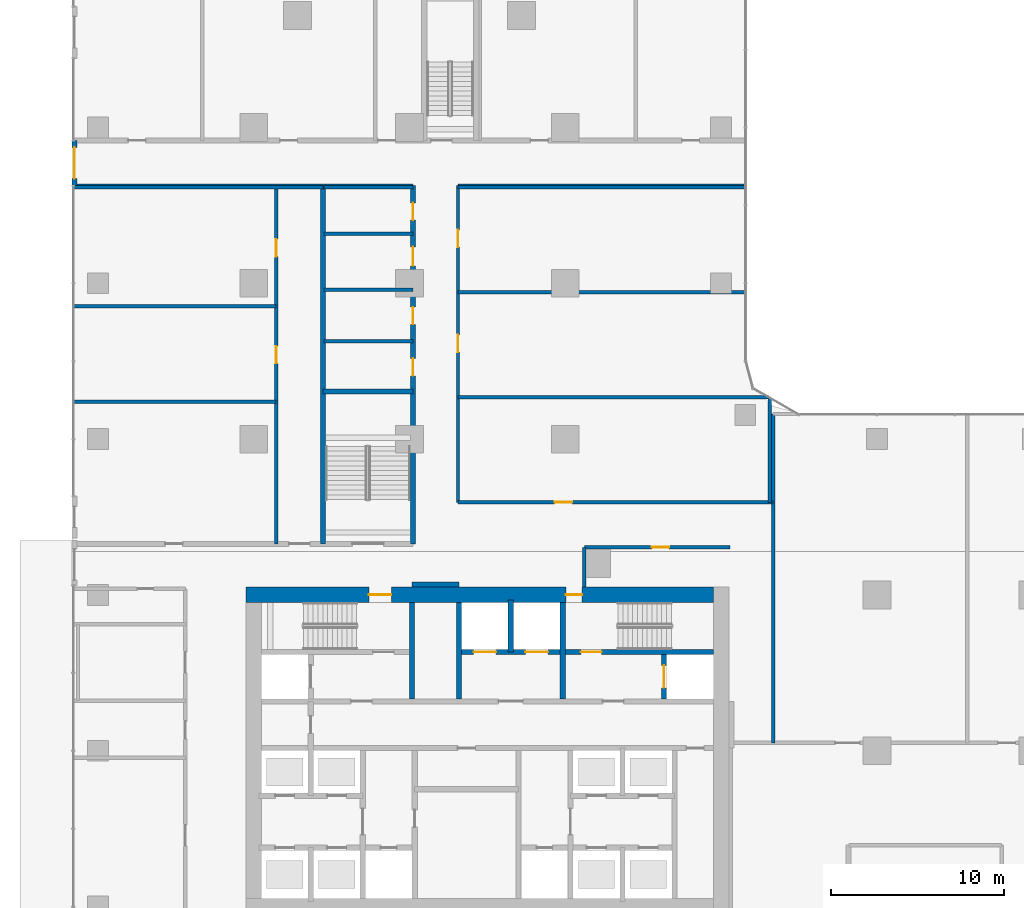
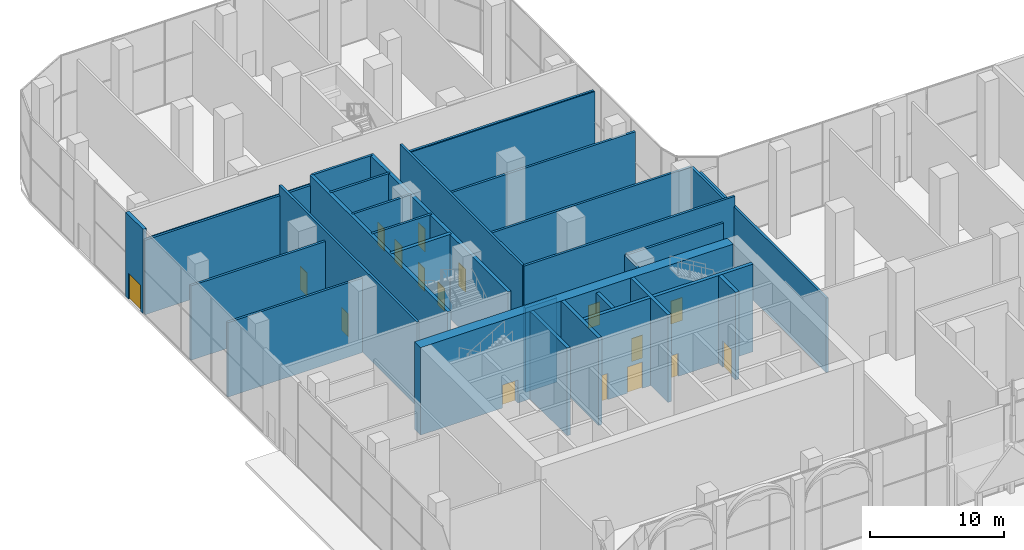
# One storey, part 31 of 54: 31 walls, 17 doors, 17 openings.
"""IFC4 building model written with IfcOpenShell, lengths in metres."""

from ifc_helpers import new_model, si_unit, direction, frame, frame_2d, origin, place, context, subcontext, project, spatial, rectangle, extrude, material, layer, layer_set, type_object, element, fill, save


model = new_model("IFC4")

# Units and contexts
model_context = context("Model", 3, precision=1e-05, world=origin(), true_north=direction((0.0, 1.0)))
body_context = subcontext(model_context, "Body", "Model", "MODEL_VIEW")
ifc_project = project(units=[si_unit("LENGTHUNIT", "METRE"), si_unit("AREAUNIT", "SQUARE_METRE"), si_unit("VOLUMEUNIT", "CUBIC_METRE"), si_unit("PLANEANGLEUNIT", "RADIAN"), si_unit("MASSUNIT", "GRAM", prefix="KILO")], contexts=[model_context])

# Site, building, storey
site_placement = place(None, origin())
site = spatial("IfcSite", under=ifc_project, at=site_placement, CompositionType="ELEMENT")
building_placement = place(site_placement, origin())
building = spatial("IfcBuilding", under=site, at=building_placement, Name="Ogive Portal Towers", CompositionType="ELEMENT")
storey_placement = place(building_placement, origin())
storey = spatial("IfcBuildingStorey", under=building, at=storey_placement, Name="L00", CompositionType="ELEMENT", Elevation=0.0)

# Wall, openings, doors
ifc_material_1 = material(Name="Concrete C60/75", Category="concrete")
ifc_layer_1 = layer(ifc_material_1, 0.300048828125)
ifc_layer_set_1 = layer_set([ifc_layer_1], Name="CORE WALL 300 C60")
wall_type_1 = type_object("IfcWallType", Name="CORE WALL 300 C60", PredefinedType="SHEAR", material=ifc_layer_set_1)
wall_1_placement = place(storey_placement, frame((43.5, 36.199951171875, 0.0), z_axis=(0.0, 0.0, 1.0), x_axis=(1.0, 0.0, 0.0)))
wall_1 = element("IfcWall", 1, at=wall_1_placement, inside=storey, type_object=wall_type_1, Name="Core wall Y3b L00", PredefinedType="SHEAR", context=body_context, shape_type="SweptSolid", body=[
    extrude(rectangle(XDim=14.550048828125, YDim=0.300048828125, at=frame_2d((7.27490234375, 0.0))), origin(), (0.0, 0.0, 1.0), 8.0),
])
opening_1_placement = place(wall_1_placement, frame((6.89990234375, 0.0, 0.0)))
opening_1 = element("IfcOpeningElement", 2, at=opening_1_placement, cuts=wall_1, Name="Opening D102-007", PredefinedType="OPENING", context=body_context, shape_type="SweptSolid", body=[
    extrude(rectangle(XDim=1.199951171875, YDim=2.10009765625, at=frame_2d((0.60009765625, 1.050048828125))), frame((0.0, 0.16015625, 0.0), z_axis=(0.0, -1.0, 0.0), x_axis=(1.0, 0.0, 0.0)), (0.0, 0.0, 1.0), 0.320068359375),
])
opening_2_placement = place(wall_1_placement, frame((0.699951171875, 0.0, 0.0)))
opening_2 = element("IfcOpeningElement", 3, at=opening_2_placement, cuts=wall_1, Name="Opening D102-021", PredefinedType="OPENING", context=body_context, shape_type="SweptSolid", body=[
    extrude(rectangle(XDim=1.300048828125, YDim=2.39990234375, at=frame_2d((0.64990234375, 1.199951171875))), frame((0.0, 0.16015625, 0.0), z_axis=(0.0, -1.0, 0.0), x_axis=(1.0, 0.0, 0.0)), (0.0, 0.0, 1.0), 0.320068359375),
])
opening_3_placement = place(wall_1_placement, frame((3.699951171875, 0.0, 0.0)))
opening_3 = element("IfcOpeningElement", 4, at=opening_3_placement, cuts=wall_1, Name="Opening D102-022", PredefinedType="OPENING", context=body_context, shape_type="SweptSolid", body=[
    extrude(rectangle(XDim=1.300048828125, YDim=2.39990234375, at=frame_2d((0.64990234375, 1.199951171875))), frame((0.0, 0.16015625, 0.0), z_axis=(0.0, -1.0, 0.0), x_axis=(1.0, 0.0, 0.0)), (0.0, 0.0, 1.0), 0.320068359375),
])
ifc_material_2 = material(Name="Stainless steel", Category="steel")
door_type_1 = type_object("IfcDoorType", Name="DT-LD-1300x2400", OperationType="SLIDING_TO_LEFT", PredefinedType="DOOR", material=ifc_material_2)
door_1_placement = place(opening_2_placement, origin())
door_1 = element("IfcDoor", 5, at=door_1_placement, inside=storey, type_object=door_type_1, Name="Door D102-021", OperationType="SLIDING_TO_LEFT", OverallHeight=2.39990234375, OverallWidth=1.300048828125, PredefinedType="DOOR", context=body_context, shape_type="SweptSolid", body=[
    extrude(rectangle(XDim=1.300048828125, YDim=2.39990234375, at=frame_2d((0.64990234375, 1.199951171875))), frame((0.0, 0.02490234375, 0.0), z_axis=(0.0, -1.0, 0.0), x_axis=(1.0, 0.0, 0.0)), (0.0, 0.0, 1.0), 0.050048828125),
])
fill(opening_2, door_1)
door_2_placement = place(opening_3_placement, origin())
door_2 = element("IfcDoor", 6, at=door_2_placement, inside=storey, type_object=door_type_1, Name="Door D102-022", OperationType="SLIDING_TO_LEFT", OverallHeight=2.39990234375, OverallWidth=1.300048828125, PredefinedType="DOOR", context=body_context, shape_type="SweptSolid", body=[
    extrude(rectangle(XDim=1.300048828125, YDim=2.39990234375, at=frame_2d((0.64990234375, 1.199951171875))), frame((0.0, 0.02490234375, 0.0), z_axis=(0.0, -1.0, 0.0), x_axis=(1.0, 0.0, 0.0)), (0.0, 0.0, 1.0), 0.050048828125),
])
fill(opening_3, door_2)
ifc_material_3 = material(Name="Steel fire door", Category="steel")
door_type_2 = type_object("IfcDoorType", Name="DT-SWING-1200x2100-FD90S", OperationType="SINGLE_SWING_LEFT", PredefinedType="DOOR", material=ifc_material_3)
door_3_placement = place(opening_1_placement, origin())
door_3 = element("IfcDoor", 7, at=door_3_placement, inside=storey, type_object=door_type_2, Name="Door D102-007", OperationType="SINGLE_SWING_LEFT", OverallHeight=2.10009765625, OverallWidth=1.199951171875, PredefinedType="DOOR", context=body_context, shape_type="SweptSolid", body=[
    extrude(rectangle(XDim=1.199951171875, YDim=2.10009765625, at=frame_2d((0.60009765625, 1.050048828125))), frame((0.0, 0.02490234375, 0.0), z_axis=(0.0, -1.0, 0.0), x_axis=(1.0, 0.0, 0.0)), (0.0, 0.0, 1.0), 0.050048828125),
])
fill(opening_1, door_3)

# Walls
for number, where, z_axis, x_axis, name in (
    (8, (40.64990234375, 33.5, 0.0), (0.0, 0.0, 1.0), (0.0, 1.0, 0.0), "Core wall X6 L00"),
    (9, (43.35009765625, 33.5, 0.0), (0.0, 0.0, 1.0), (0.0, 1.0, 0.0), "Core wall X7 L00"),
    (10, (49.35009765625, 33.5, 0.0), (0.0, 0.0, 1.0), (0.0, 1.0, 0.0), "Core wall X9 L00"),
):
    element("IfcWall", number, at=place(storey_placement, frame(where, z_axis=z_axis, x_axis=x_axis)), inside=storey, type_object=wall_type_1, Name=name, PredefinedType="SHEAR", context=body_context, shape_type="SweptSolid", body=[
        extrude(rectangle(XDim=5.550048828125, YDim=0.300048828125, at=frame_2d((2.77490234375, 0.0))), origin(), (0.0, 0.0, 1.0), 8.0),
    ])

# Wall, opening, door
wall_2_placement = place(storey_placement, frame((55.199951171875, 33.5, 0.0), z_axis=(0.0, 0.0, 1.0), x_axis=(0.0, 1.0, 0.0)))
wall_2 = element("IfcWall", 11, at=wall_2_placement, inside=storey, type_object=wall_type_1, Name="Core wall X10 L00", PredefinedType="SHEAR", context=body_context, shape_type="SweptSolid", body=[
    extrude(rectangle(XDim=2.550048828125, YDim=0.300048828125, at=frame_2d((1.27490234375, 0.0))), origin(), (0.0, 0.0, 1.0), 8.0),
])
opening_4_placement = place(wall_2_placement, frame((0.625, 0.0, 0.0)))
opening_4 = element("IfcOpeningElement", 12, at=opening_4_placement, cuts=wall_2, Name="Opening D102-024", PredefinedType="OPENING", context=body_context, shape_type="SweptSolid", body=[
    extrude(rectangle(XDim=1.300048828125, YDim=2.39990234375, at=frame_2d((0.64990234375, 1.199951171875))), frame((0.0, 0.16015625, 0.0), z_axis=(0.0, -1.0, 0.0), x_axis=(1.0, 0.0, 0.0)), (0.0, 0.0, 1.0), 0.320068359375),
])
door_4_placement = place(opening_4_placement, origin())
door_4 = element("IfcDoor", 13, at=door_4_placement, inside=storey, type_object=door_type_1, Name="Door D102-024", OperationType="SLIDING_TO_LEFT", OverallHeight=2.39990234375, OverallWidth=1.300048828125, PredefinedType="DOOR", context=body_context, shape_type="SweptSolid", body=[
    extrude(rectangle(XDim=1.300048828125, YDim=2.39990234375, at=frame_2d((0.64990234375, 1.199951171875))), frame((0.0, 0.02490234375, 0.0), z_axis=(0.0, -1.0, 0.0), x_axis=(1.0, 0.0, 0.0)), (0.0, 0.0, 1.0), 0.050048828125),
])
fill(opening_4, door_4)

# Wall, openings, doors
ifc_layer_2 = layer(ifc_material_1, 0.89990234375)
ifc_layer_set_2 = layer_set([ifc_layer_2], Name="CORE WALL 900 C60")
wall_type_2 = type_object("IfcWallType", Name="CORE WALL 900 C60", PredefinedType="SHEAR", material=ifc_layer_set_2)
wall_3_placement = place(storey_placement, frame((31.050048828125, 39.5, 0.0), z_axis=(0.0, 0.0, 1.0), x_axis=(1.0, 0.0, 0.0)))
wall_3 = element("IfcWall", 14, at=wall_3_placement, inside=storey, type_object=wall_type_2, Name="Core wall N L00", PredefinedType="SHEAR", context=body_context, shape_type="SweptSolid", body=[
    extrude(rectangle(XDim=27.0, YDim=0.89990234375, at=frame_2d((13.5, 0.0))), origin(), (0.0, 0.0, 1.0), 8.0),
])
opening_5_placement = place(wall_3_placement, frame((7.10009765625, 0.0, 0.0)))
opening_5 = element("IfcOpeningElement", 15, at=opening_5_placement, cuts=wall_3, Name="Opening D102-011", PredefinedType="OPENING", context=body_context, shape_type="SweptSolid", body=[
    extrude(rectangle(XDim=1.300048828125, YDim=2.10009765625, at=frame_2d((0.64990234375, 1.050048828125))), frame((0.0, 0.4599609375, 0.0), z_axis=(0.0, -1.0, 0.0), x_axis=(1.0, 0.0, 0.0)), (0.0, 0.0, 1.0), 0.919921875),
])
opening_6_placement = place(wall_3_placement, frame((18.47509765625, 0.0, 0.0)))
opening_6 = element("IfcOpeningElement", 16, at=opening_6_placement, cuts=wall_3, Name="Opening D102-012", PredefinedType="OPENING", context=body_context, shape_type="SweptSolid", body=[
    extrude(rectangle(XDim=0.949951171875, YDim=2.10009765625, at=frame_2d((0.47509765625, 1.050048828125))), frame((0.0, 0.4599609375, 0.0), z_axis=(0.0, -1.0, 0.0), x_axis=(1.0, 0.0, 0.0)), (0.0, 0.0, 1.0), 0.919921875),
])
door_type_3 = type_object("IfcDoorType", Name="DT-SWING-1300x2100-FD90S", OperationType="SINGLE_SWING_LEFT", PredefinedType="DOOR", material=ifc_material_3)
door_5_placement = place(opening_5_placement, origin())
door_5 = element("IfcDoor", 17, at=door_5_placement, inside=storey, type_object=door_type_3, Name="Door D102-011", OperationType="SINGLE_SWING_LEFT", OverallHeight=2.10009765625, OverallWidth=1.300048828125, PredefinedType="DOOR", context=body_context, shape_type="SweptSolid", body=[
    extrude(rectangle(XDim=1.300048828125, YDim=2.10009765625, at=frame_2d((0.64990234375, 1.050048828125))), frame((0.0, 0.02490234375, 0.0), z_axis=(0.0, -1.0, 0.0), x_axis=(1.0, 0.0, 0.0)), (0.0, 0.0, 1.0), 0.050048828125),
])
fill(opening_5, door_5)
door_type_4 = type_object("IfcDoorType", Name="DT-SWING-950x2100-FD90S", OperationType="SINGLE_SWING_LEFT", PredefinedType="DOOR", material=ifc_material_3)
door_6_placement = place(opening_6_placement, origin())
door_6 = element("IfcDoor", 18, at=door_6_placement, inside=storey, type_object=door_type_4, Name="Door D102-012", OperationType="SINGLE_SWING_LEFT", OverallHeight=2.10009765625, OverallWidth=0.949951171875, PredefinedType="DOOR", context=body_context, shape_type="SweptSolid", body=[
    extrude(rectangle(XDim=0.949951171875, YDim=2.10009765625, at=frame_2d((0.47509765625, 1.050048828125))), frame((0.0, 0.02490234375, 0.0), z_axis=(0.0, -1.0, 0.0), x_axis=(1.0, 0.0, 0.0)), (0.0, 0.0, 1.0), 0.050048828125),
])
fill(opening_6, door_6)

# Wall, opening, door
ifc_material_4 = material(Name="Limestone cladding on lightweight block wall", Category="masonry")
ifc_layer_3 = layer(ifc_material_4, 0.300048828125)
ifc_layer_set_3 = layer_set([ifc_layer_3], Name="EXTERNAL WALL 300 STONE")
wall_type_3 = type_object("IfcWallType", Name="EXTERNAL WALL 300 STONE", PredefinedType="SOLIDWALL", material=ifc_layer_set_3)
wall_4_placement = place(storey_placement, frame((21.14990234375, 63.14990234375, 0.0), z_axis=(0.0, 0.0, 1.0), x_axis=(0.0, 1.0, 0.0)))
wall_4 = element("IfcWall", 19, at=wall_4_placement, inside=storey, type_object=wall_type_3, Name="A:L00:f17:bay1", PredefinedType="SOLIDWALL", context=body_context, shape_type="SweptSolid", body=[
    extrude(rectangle(XDim=2.60009765625, YDim=0.300048828125, at=frame_2d((1.300048828125, 0.0))), origin(), (0.0, 0.0, 1.0), 7.699951171875),
])
opening_7_placement = place(wall_4_placement, frame((0.39990234375, 0.0, 0.0)))
opening_7 = element("IfcOpeningElement", 20, at=opening_7_placement, cuts=wall_4, Name="Opening DX014", PredefinedType="OPENING", context=body_context, shape_type="SweptSolid", body=[
    extrude(rectangle(XDim=1.800048828125, YDim=2.39990234375, at=frame_2d((0.89990234375, 1.199951171875))), frame((0.0, 0.16015625, 0.0), z_axis=(0.0, -1.0, 0.0), x_axis=(1.0, 0.0, 0.0)), (0.0, 0.0, 1.0), 0.320068359375),
])
ifc_material_5 = material(Name="Steel S355", Category="steel")
door_type_5 = type_object("IfcDoorType", Name="EXIT DOOR 1800x2400", OperationType="DOUBLE_DOOR_SINGLE_SWING", PredefinedType="DOOR", material=ifc_material_5)
door_7_placement = place(opening_7_placement, origin())
door_7 = element("IfcDoor", 21, at=door_7_placement, inside=storey, type_object=door_type_5, Name="A:L00:f17:bay1/o0", OperationType="SINGLE_SWING_LEFT", OverallHeight=2.39990234375, OverallWidth=1.800048828125, PredefinedType="DOOR", context=body_context, shape_type="SweptSolid", body=[
    extrude(rectangle(XDim=1.800048828125, YDim=2.39990234375, at=frame_2d((0.89990234375, 1.199951171875))), frame((0.0, 0.02490234375, 0.0), z_axis=(0.0, -1.0, 0.0), x_axis=(1.0, 0.0, 0.0)), (0.0, 0.0, 1.0), 0.050048828125),
])
fill(opening_7, door_7)

# Walls
ifc_material_6 = material(Name="Concrete C50/60", Category="concrete")
ifc_layer_4 = layer(ifc_material_6, 0.300048828125)
ifc_layer_set_4 = layer_set([ifc_layer_4], Name="STAIR WALL 300 C50")
wall_type_4 = type_object("IfcWallType", Name="STAIR WALL 300 C50", PredefinedType="SHEAR", material=ifc_layer_set_4)
wall_5_placement = place(storey_placement, frame((35.5, 51.25, 0.0), z_axis=(0.0, 0.0, 1.0), x_axis=(1.0, 0.0, 0.0)))
element("IfcWall", 22, at=wall_5_placement, inside=storey, type_object=wall_type_4, Name="Stair wall ST-P2 L00", PredefinedType="SHEAR", context=body_context, shape_type="SweptSolid", body=[
    extrude(rectangle(XDim=5.199951171875, YDim=0.300048828125, at=frame_2d((2.60009765625, 0.0))), origin(), (0.0, 0.0, 1.0), 7.699951171875),
])
wall_6_placement = place(storey_placement, frame((35.5, 42.449951171875, 0.0), z_axis=(0.0, 0.0, 1.0), x_axis=(0.0, 1.0, 0.0)))
element("IfcWall", 23, at=wall_6_placement, inside=storey, type_object=wall_type_4, Name="Stair wall ST-P2 L00", PredefinedType="SHEAR", context=body_context, shape_type="SweptSolid", body=[
    extrude(rectangle(XDim=20.60009765625, YDim=0.300048828125, at=frame_2d((10.300048828125, 0.0))), origin(), (0.0, 0.0, 1.0), 7.699951171875),
])

# Wall, openings, doors
wall_7_placement = place(storey_placement, frame((40.699951171875, 42.449951171875, 0.0), z_axis=(0.0, 0.0, 1.0), x_axis=(0.0, 1.0, 0.0)))
wall_7 = element("IfcWall", 24, at=wall_7_placement, inside=storey, type_object=wall_type_4, Name="Stair wall ST-P2 L00", PredefinedType="SHEAR", context=body_context, shape_type="SweptSolid", body=[
    extrude(rectangle(XDim=20.699951171875, YDim=0.300048828125, at=frame_2d((10.35009765625, 0.0))), origin(), (0.0, 0.0, 1.0), 7.699951171875),
])
opening_8_placement = place(wall_7_placement, frame((9.7099609375, 0.0, 0.0)))
opening_8 = element("IfcOpeningElement", 25, at=opening_8_placement, cuts=wall_7, Name="Opening P00-022", PredefinedType="OPENING", context=body_context, shape_type="SweptSolid", body=[
    extrude(rectangle(XDim=1.0, YDim=2.10009765625, at=frame_2d((0.5, 1.050048828125))), frame((0.0, 0.16015625, 0.0), z_axis=(0.0, -1.0, 0.0), x_axis=(1.0, 0.0, 0.0)), (0.0, 0.0, 1.0), 0.320068359375),
])
opening_9_placement = place(wall_7_placement, frame((12.673095703125, 0.0, 0.0)))
opening_9 = element("IfcOpeningElement", 26, at=opening_9_placement, cuts=wall_7, Name="Opening P00-023", PredefinedType="OPENING", context=body_context, shape_type="SweptSolid", body=[
    extrude(rectangle(XDim=1.0, YDim=2.10009765625, at=frame_2d((0.5, 1.050048828125))), frame((0.0, 0.16015625, 0.0), z_axis=(0.0, -1.0, 0.0), x_axis=(1.0, 0.0, 0.0)), (0.0, 0.0, 1.0), 0.320068359375),
])
opening_10_placement = place(wall_7_placement, frame((16.050048828125, 0.0, 0.0)))
opening_10 = element("IfcOpeningElement", 27, at=opening_10_placement, cuts=wall_7, Name="Opening P00-024", PredefinedType="OPENING", context=body_context, shape_type="SweptSolid", body=[
    extrude(rectangle(XDim=1.10009765625, YDim=2.10009765625, at=frame_2d((0.550048828125, 1.050048828125))), frame((0.0, 0.16015625, 0.0), z_axis=(0.0, -1.0, 0.0), x_axis=(1.0, 0.0, 0.0)), (0.0, 0.0, 1.0), 0.320068359375),
])
opening_11_placement = place(wall_7_placement, frame((18.694091796875, 0.0, 0.0)))
opening_11 = element("IfcOpeningElement", 28, at=opening_11_placement, cuts=wall_7, Name="Opening P00-025", PredefinedType="OPENING", context=body_context, shape_type="SweptSolid", body=[
    extrude(rectangle(XDim=1.0, YDim=2.10009765625, at=frame_2d((0.5, 1.050048828125))), frame((0.0, 0.16015625, 0.0), z_axis=(0.0, -1.0, 0.0), x_axis=(1.0, 0.0, 0.0)), (0.0, 0.0, 1.0), 0.320068359375),
])
door_type_6 = type_object("IfcDoorType", Name="DT-ACCESS-1100x2100-FD90S", OperationType="SINGLE_SWING_LEFT", PredefinedType="DOOR", material=ifc_material_3)
door_8_placement = place(opening_10_placement, origin())
door_8 = element("IfcDoor", 29, at=door_8_placement, inside=storey, type_object=door_type_6, Name="Door P00-024", OperationType="SINGLE_SWING_RIGHT", OverallHeight=2.10009765625, OverallWidth=1.10009765625, PredefinedType="DOOR", context=body_context, shape_type="SweptSolid", body=[
    extrude(rectangle(XDim=1.10009765625, YDim=2.10009765625, at=frame_2d((0.550048828125, 1.050048828125))), frame((0.0, 0.02490234375, 0.0), z_axis=(0.0, -1.0, 0.0), x_axis=(1.0, 0.0, 0.0)), (0.0, 0.0, 1.0), 0.050048828125),
])
fill(opening_10, door_8)
door_type_7 = type_object("IfcDoorType", Name="DT-SWING-1000x2100-FD90S", OperationType="SINGLE_SWING_LEFT", PredefinedType="DOOR", material=ifc_material_3)
door_9_placement = place(opening_8_placement, origin())
door_9 = element("IfcDoor", 30, at=door_9_placement, inside=storey, type_object=door_type_7, Name="Door P00-022", OperationType="SINGLE_SWING_RIGHT", OverallHeight=2.10009765625, OverallWidth=1.0, PredefinedType="DOOR", context=body_context, shape_type="SweptSolid", body=[
    extrude(rectangle(XDim=1.0, YDim=2.10009765625, at=frame_2d((0.5, 1.050048828125))), frame((0.0, 0.02490234375, 0.0), z_axis=(0.0, -1.0, 0.0), x_axis=(1.0, 0.0, 0.0)), (0.0, 0.0, 1.0), 0.050048828125),
])
fill(opening_8, door_9)
door_10_placement = place(opening_9_placement, origin())
door_10 = element("IfcDoor", 31, at=door_10_placement, inside=storey, type_object=door_type_7, Name="Door P00-023", OperationType="SINGLE_SWING_LEFT", OverallHeight=2.10009765625, OverallWidth=1.0, PredefinedType="DOOR", context=body_context, shape_type="SweptSolid", body=[
    extrude(rectangle(XDim=1.0, YDim=2.10009765625, at=frame_2d((0.5, 1.050048828125))), frame((0.0, 0.02490234375, 0.0), z_axis=(0.0, -1.0, 0.0), x_axis=(1.0, 0.0, 0.0)), (0.0, 0.0, 1.0), 0.050048828125),
])
fill(opening_9, door_10)
door_11_placement = place(opening_11_placement, origin())
door_11 = element("IfcDoor", 32, at=door_11_placement, inside=storey, type_object=door_type_7, Name="Door P00-025", OperationType="SINGLE_SWING_LEFT", OverallHeight=2.10009765625, OverallWidth=1.0, PredefinedType="DOOR", context=body_context, shape_type="SweptSolid", body=[
    extrude(rectangle(XDim=1.0, YDim=2.10009765625, at=frame_2d((0.5, 1.050048828125))), frame((0.0, 0.02490234375, 0.0), z_axis=(0.0, -1.0, 0.0), x_axis=(1.0, 0.0, 0.0)), (0.0, 0.0, 1.0), 0.050048828125),
])
fill(opening_11, door_11)

# Wall, opening, door
ifc_material_7 = material(Name="Gypsum board partition on steel studs", Category="steel")
ifc_layer_5 = layer(ifc_material_7, 0.199951171875)
ifc_layer_set_5 = layer_set([ifc_layer_5], Name="WT-PART-200-EI 60")
wall_type_5 = type_object("IfcWallType", Name="WT-PART-200-EI 60", PredefinedType="PARTITIONING", material=ifc_layer_set_5)
wall_8_placement = place(storey_placement, frame((50.60009765625, 42.25, 0.0), z_axis=(0.0, 0.0, 1.0), x_axis=(1.0, 0.0, 0.0)))
wall_8 = element("IfcWall", 33, at=wall_8_placement, inside=storey, type_object=wall_type_5, Name="Wall L00:w036", PredefinedType="PARTITIONING", context=body_context, shape_type="SweptSolid", body=[
    extrude(rectangle(XDim=8.419921875, YDim=0.199951171875, at=frame_2d((4.2099609375, 0.0))), origin(), (0.0, 0.0, 1.0), 7.699951171875),
])
opening_12_placement = place(wall_8_placement, frame((3.89990234375, 0.0, 0.0)))
opening_12 = element("IfcOpeningElement", 34, at=opening_12_placement, cuts=wall_8, Name="Opening P00-006", PredefinedType="OPENING", context=body_context, shape_type="SweptSolid", body=[
    extrude(rectangle(XDim=1.0, YDim=2.10009765625, at=frame_2d((0.5, 1.050048828125))), frame((0.0, 0.10986328125, 0.0), z_axis=(0.0, -1.0, 0.0), x_axis=(1.0, 0.0, 0.0)), (0.0, 0.0, 1.0), 0.219970703125),
])
door_type_8 = type_object("IfcDoorType", Name="DT-SWING-1000x2100-FD60S", OperationType="SINGLE_SWING_LEFT", PredefinedType="DOOR", material=ifc_material_3)
door_12_placement = place(opening_12_placement, origin())
door_12 = element("IfcDoor", 35, at=door_12_placement, inside=storey, type_object=door_type_8, Name="Door P00-006", OperationType="SINGLE_SWING_RIGHT", OverallHeight=2.10009765625, OverallWidth=1.0, PredefinedType="DOOR", context=body_context, shape_type="SweptSolid", body=[
    extrude(rectangle(XDim=1.0, YDim=2.10009765625, at=frame_2d((0.5, 1.050048828125))), frame((0.0, 0.02490234375, 0.0), z_axis=(0.0, -1.0, 0.0), x_axis=(1.0, 0.0, 0.0)), (0.0, 0.0, 1.0), 0.050048828125),
])
fill(opening_12, door_12)

wall_9_placement = place(storey_placement, frame((43.300048828125, 44.85009765625, 0.0), z_axis=(0.0, 0.0, 1.0), x_axis=(1.0, 0.0, 0.0)))
wall_9 = element("IfcWall", 36, at=wall_9_placement, inside=storey, type_object=wall_type_5, Name="Wall L00:w039", PredefinedType="PARTITIONING", context=body_context, shape_type="SweptSolid", body=[
    extrude(rectangle(XDim=18.199951171875, YDim=0.199951171875, at=frame_2d((9.10009765625, 0.0))), origin(), (0.0, 0.0, 1.0), 7.699951171875),
])
opening_13_placement = place(wall_9_placement, frame((5.589111328125, 0.0, 0.0)))
opening_13 = element("IfcOpeningElement", 37, at=opening_13_placement, cuts=wall_9, Name="Opening P00-026", PredefinedType="OPENING", context=body_context, shape_type="SweptSolid", body=[
    extrude(rectangle(XDim=1.0, YDim=2.10009765625, at=frame_2d((0.5, 1.050048828125))), frame((0.0, 0.10986328125, 0.0), z_axis=(0.0, -1.0, 0.0), x_axis=(1.0, 0.0, 0.0)), (0.0, 0.0, 1.0), 0.219970703125),
])
door_13_placement = place(opening_13_placement, origin())
door_13 = element("IfcDoor", 38, at=door_13_placement, inside=storey, type_object=door_type_8, Name="Door P00-026", OperationType="SINGLE_SWING_RIGHT", OverallHeight=2.10009765625, OverallWidth=1.0, PredefinedType="DOOR", context=body_context, shape_type="SweptSolid", body=[
    extrude(rectangle(XDim=1.0, YDim=2.10009765625, at=frame_2d((0.5, 1.050048828125))), frame((0.0, 0.02490234375, 0.0), z_axis=(0.0, -1.0, 0.0), x_axis=(1.0, 0.0, 0.0)), (0.0, 0.0, 1.0), 0.050048828125),
])
fill(opening_13, door_13)

# Walls
wall_10_placement = place(storey_placement, frame((21.070068359375, 50.64990234375, 0.0), z_axis=(0.0, 0.0, 1.0), x_axis=(1.0, 0.0, 0.0)))
element("IfcWall", 39, at=wall_10_placement, inside=storey, type_object=wall_type_5, Name="Wall L00:w041", PredefinedType="PARTITIONING", context=body_context, shape_type="SweptSolid", body=[
    extrude(rectangle(XDim=11.72998046875, YDim=0.199951171875, at=frame_2d((5.864990234375, 0.0))), origin(), (0.0, 0.0, 1.0), 6.800048828125),
])
wall_11_placement = place(storey_placement, frame((43.300048828125, 50.9169921875, 0.0), z_axis=(0.0, 0.0, 1.0), x_axis=(1.0, 0.0, 0.0)))
element("IfcWall", 40, at=wall_11_placement, inside=storey, type_object=wall_type_5, Name="Wall L00:w042", PredefinedType="PARTITIONING", context=body_context, shape_type="SweptSolid", body=[
    extrude(rectangle(XDim=17.971923828125, YDim=0.199951171875, at=frame_2d((8.98583984375, 0.0))), origin(), (0.0, 0.0, 1.0), 6.800048828125),
])
wall_12_placement = place(storey_placement, frame((35.550048828125, 54.162109375, 0.0), z_axis=(0.0, 0.0, 1.0), x_axis=(1.0, 0.0, 0.0)))
element("IfcWall", 41, at=wall_12_placement, inside=storey, type_object=wall_type_5, Name="Wall L00:w044", PredefinedType="PARTITIONING", context=body_context, shape_type="SweptSolid", body=[
    extrude(rectangle(XDim=5.14990234375, YDim=0.199951171875, at=frame_2d((2.574951171875, 0.0))), origin(), (0.0, 0.0, 1.0), 7.699951171875),
])
wall_13_placement = place(storey_placement, frame((21.070068359375, 56.18310546875, 0.0), z_axis=(0.0, 0.0, 1.0), x_axis=(1.0, 0.0, 0.0)))
element("IfcWall", 42, at=wall_13_placement, inside=storey, type_object=wall_type_5, Name="Wall L00:w045", PredefinedType="PARTITIONING", context=body_context, shape_type="SweptSolid", body=[
    extrude(rectangle(XDim=11.72998046875, YDim=0.199951171875, at=frame_2d((5.864990234375, 0.0))), origin(), (0.0, 0.0, 1.0), 6.800048828125),
])
wall_14_placement = place(storey_placement, frame((43.300048828125, 56.98291015625, 0.0), z_axis=(0.0, 0.0, 1.0), x_axis=(1.0, 0.0, 0.0)))
element("IfcWall", 43, at=wall_14_placement, inside=storey, type_object=wall_type_5, Name="Wall L00:w046", PredefinedType="PARTITIONING", context=body_context, shape_type="SweptSolid", body=[
    extrude(rectangle(XDim=16.6298828125, YDim=0.199951171875, at=frame_2d((8.31494140625, 0.0))), origin(), (0.0, 0.0, 1.0), 6.800048828125),
])
for number, where, z_axis, x_axis, name in (
    (44, (35.550048828125, 57.125, 0.0), (0.0, 0.0, 1.0), (1.0, 0.0, 0.0), "Wall L00:w047"),
    (45, (35.550048828125, 60.364013671875, 0.0), (0.0, 0.0, 1.0), (1.0, 0.0, 0.0), "Wall L00:w048"),
):
    element("IfcWall", number, at=place(storey_placement, frame(where, z_axis=z_axis, x_axis=x_axis)), inside=storey, type_object=wall_type_5, Name=name, PredefinedType="PARTITIONING", context=body_context, shape_type="SweptSolid", body=[
        extrude(rectangle(XDim=5.14990234375, YDim=0.199951171875, at=frame_2d((2.574951171875, 0.0))), origin(), (0.0, 0.0, 1.0), 7.699951171875),
    ])
wall_15_placement = place(storey_placement, frame((21.070068359375, 63.050048828125, 0.0), z_axis=(0.0, 0.0, 1.0), x_axis=(1.0, 0.0, 0.0)))
element("IfcWall", 46, at=wall_15_placement, inside=storey, type_object=wall_type_5, Name="Wall L00:w049", PredefinedType="PARTITIONING", context=body_context, shape_type="SweptSolid", body=[
    extrude(rectangle(XDim=14.429931640625, YDim=0.199951171875, at=frame_2d((7.21484375, 0.0))), origin(), (0.0, 0.0, 1.0), 6.800048828125),
])
wall_16_placement = place(storey_placement, frame((35.550048828125, 63.050048828125, 0.0), z_axis=(0.0, 0.0, 1.0), x_axis=(1.0, 0.0, 0.0)))
element("IfcWall", 47, at=wall_16_placement, inside=storey, type_object=wall_type_5, Name="Wall L00:w050", PredefinedType="PARTITIONING", context=body_context, shape_type="SweptSolid", body=[
    extrude(rectangle(XDim=5.14990234375, YDim=0.199951171875, at=frame_2d((2.574951171875, 0.0))), origin(), (0.0, 0.0, 1.0), 7.699951171875),
])
wall_17_placement = place(storey_placement, frame((43.300048828125, 63.050048828125, 0.0), z_axis=(0.0, 0.0, 1.0), x_axis=(1.0, 0.0, 0.0)))
element("IfcWall", 48, at=wall_17_placement, inside=storey, type_object=wall_type_5, Name="Wall L00:w051", PredefinedType="PARTITIONING", context=body_context, shape_type="SweptSolid", body=[
    extrude(rectangle(XDim=16.6298828125, YDim=0.199951171875, at=frame_2d((8.31494140625, 0.0))), origin(), (0.0, 0.0, 1.0), 6.800048828125),
])
wall_18_placement = place(storey_placement, frame((21.070068359375, 63.14990234375, 0.0), z_axis=(0.0, 0.0, 1.0), x_axis=(1.0, 0.0, 0.0)))
element("IfcWall", 49, at=wall_18_placement, inside=storey, type_object=wall_type_5, Name="Wall L00:w052", PredefinedType="PARTITIONING", context=body_context, shape_type="SweptSolid", body=[
    extrude(rectangle(XDim=19.6298828125, YDim=0.199951171875, at=frame_2d((9.81494140625, 0.0))), origin(), (0.0, 0.0, 1.0), 6.800048828125),
])
wall_19_placement = place(storey_placement, frame((43.300048828125, 63.14990234375, 0.0), z_axis=(0.0, 0.0, 1.0), x_axis=(1.0, 0.0, 0.0)))
element("IfcWall", 50, at=wall_19_placement, inside=storey, type_object=wall_type_5, Name="Wall L00:w053", PredefinedType="PARTITIONING", context=body_context, shape_type="SweptSolid", body=[
    extrude(rectangle(XDim=16.6298828125, YDim=0.199951171875, at=frame_2d((8.31494140625, 0.0))), origin(), (0.0, 0.0, 1.0), 6.800048828125),
])

# Wall, openings, doors
wall_20_placement = place(storey_placement, frame((32.800048828125, 42.449951171875, 0.0), z_axis=(0.0, 0.0, 1.0), x_axis=(0.0, 1.0, 0.0)))
wall_20 = element("IfcWall", 51, at=wall_20_placement, inside=storey, type_object=wall_type_5, Name="Wall L00:w078", PredefinedType="PARTITIONING", context=body_context, shape_type="SweptSolid", body=[
    extrude(rectangle(XDim=20.60009765625, YDim=0.199951171875, at=frame_2d((10.300048828125, 0.0))), origin(), (0.0, 0.0, 1.0), 7.699951171875),
])
opening_14_placement = place(wall_20_placement, frame((10.427978515625, 0.0, 0.0)))
opening_14 = element("IfcOpeningElement", 52, at=opening_14_placement, cuts=wall_20, Name="Opening P00-020", PredefinedType="OPENING", context=body_context, shape_type="SweptSolid", body=[
    extrude(rectangle(XDim=1.0, YDim=2.10009765625, at=frame_2d((0.5, 1.050048828125))), frame((0.0, 0.10986328125, 0.0), z_axis=(0.0, -1.0, 0.0), x_axis=(1.0, 0.0, 0.0)), (0.0, 0.0, 1.0), 0.219970703125),
])
opening_15_placement = place(wall_20_placement, frame((16.596923828125, 0.0, 0.0)))
opening_15 = element("IfcOpeningElement", 53, at=opening_15_placement, cuts=wall_20, Name="Opening P00-021", PredefinedType="OPENING", context=body_context, shape_type="SweptSolid", body=[
    extrude(rectangle(XDim=1.0, YDim=2.10009765625, at=frame_2d((0.5, 1.050048828125))), frame((0.0, 0.10986328125, 0.0), z_axis=(0.0, -1.0, 0.0), x_axis=(1.0, 0.0, 0.0)), (0.0, 0.0, 1.0), 0.219970703125),
])
door_14_placement = place(opening_14_placement, origin())
door_14 = element("IfcDoor", 54, at=door_14_placement, inside=storey, type_object=door_type_8, Name="Door P00-020", OperationType="SINGLE_SWING_RIGHT", OverallHeight=2.10009765625, OverallWidth=1.0, PredefinedType="DOOR", context=body_context, shape_type="SweptSolid", body=[
    extrude(rectangle(XDim=1.0, YDim=2.10009765625, at=frame_2d((0.5, 1.050048828125))), frame((0.0, 0.02490234375, 0.0), z_axis=(0.0, -1.0, 0.0), x_axis=(1.0, 0.0, 0.0)), (0.0, 0.0, 1.0), 0.050048828125),
])
fill(opening_14, door_14)
door_15_placement = place(opening_15_placement, origin())
door_15 = element("IfcDoor", 55, at=door_15_placement, inside=storey, type_object=door_type_8, Name="Door P00-021", OperationType="SINGLE_SWING_LEFT", OverallHeight=2.10009765625, OverallWidth=1.0, PredefinedType="DOOR", context=body_context, shape_type="SweptSolid", body=[
    extrude(rectangle(XDim=1.0, YDim=2.10009765625, at=frame_2d((0.5, 1.050048828125))), frame((0.0, 0.02490234375, 0.0), z_axis=(0.0, -1.0, 0.0), x_axis=(1.0, 0.0, 0.0)), (0.0, 0.0, 1.0), 0.050048828125),
])
fill(opening_15, door_15)

wall_21_placement = place(storey_placement, frame((43.300048828125, 44.85009765625, 0.0), z_axis=(0.0, 0.0, 1.0), x_axis=(0.0, 1.0, 0.0)))
wall_21 = element("IfcWall", 56, at=wall_21_placement, inside=storey, type_object=wall_type_5, Name="Wall L00:w083", PredefinedType="PARTITIONING", context=body_context, shape_type="SweptSolid", body=[
    extrude(rectangle(XDim=18.2998046875, YDim=0.199951171875, at=frame_2d((9.14990234375, 0.0))), origin(), (0.0, 0.0, 1.0), 7.699951171875),
])
opening_16_placement = place(wall_21_placement, frame((8.672119140625, 0.0, 0.0)))
opening_16 = element("IfcOpeningElement", 57, at=opening_16_placement, cuts=wall_21, Name="Opening P00-027", PredefinedType="OPENING", context=body_context, shape_type="SweptSolid", body=[
    extrude(rectangle(XDim=1.0, YDim=2.10009765625, at=frame_2d((0.5, 1.050048828125))), frame((0.0, 0.10986328125, 0.0), z_axis=(0.0, -1.0, 0.0), x_axis=(1.0, 0.0, 0.0)), (0.0, 0.0, 1.0), 0.219970703125),
])
opening_17_placement = place(wall_21_placement, frame((14.735107421875, 0.0, 0.0)))
opening_17 = element("IfcOpeningElement", 58, at=opening_17_placement, cuts=wall_21, Name="Opening P00-028", PredefinedType="OPENING", context=body_context, shape_type="SweptSolid", body=[
    extrude(rectangle(XDim=1.0, YDim=2.10009765625, at=frame_2d((0.5, 1.050048828125))), frame((0.0, 0.10986328125, 0.0), z_axis=(0.0, -1.0, 0.0), x_axis=(1.0, 0.0, 0.0)), (0.0, 0.0, 1.0), 0.219970703125),
])
door_16_placement = place(opening_16_placement, origin())
door_16 = element("IfcDoor", 59, at=door_16_placement, inside=storey, type_object=door_type_8, Name="Door P00-027", OperationType="SINGLE_SWING_LEFT", OverallHeight=2.10009765625, OverallWidth=1.0, PredefinedType="DOOR", context=body_context, shape_type="SweptSolid", body=[
    extrude(rectangle(XDim=1.0, YDim=2.10009765625, at=frame_2d((0.5, 1.050048828125))), frame((0.0, 0.02490234375, 0.0), z_axis=(0.0, -1.0, 0.0), x_axis=(1.0, 0.0, 0.0)), (0.0, 0.0, 1.0), 0.050048828125),
])
fill(opening_16, door_16)
door_17_placement = place(opening_17_placement, origin())
door_17 = element("IfcDoor", 60, at=door_17_placement, inside=storey, type_object=door_type_8, Name="Door P00-028", OperationType="SINGLE_SWING_RIGHT", OverallHeight=2.10009765625, OverallWidth=1.0, PredefinedType="DOOR", context=body_context, shape_type="SweptSolid", body=[
    extrude(rectangle(XDim=1.0, YDim=2.10009765625, at=frame_2d((0.5, 1.050048828125))), frame((0.0, 0.02490234375, 0.0), z_axis=(0.0, -1.0, 0.0), x_axis=(1.0, 0.0, 0.0)), (0.0, 0.0, 1.0), 0.050048828125),
])
fill(opening_17, door_17)

# Walls
wall_22_placement = place(storey_placement, frame((50.60009765625, 39.969970703125, 0.0), z_axis=(0.0, 0.0, 1.0), x_axis=(0.0, 1.0, 0.0)))
element("IfcWall", 61, at=wall_22_placement, inside=storey, type_object=wall_type_5, Name="Wall L00:w086", PredefinedType="PARTITIONING", context=body_context, shape_type="SweptSolid", body=[
    extrude(rectangle(XDim=2.280029296875, YDim=0.199951171875, at=frame_2d((1.14013671875, 0.0))), origin(), (0.0, 0.0, 1.0), 7.699951171875),
])
wall_23_placement = place(storey_placement, frame((61.300048828125, 44.85009765625, 0.0), z_axis=(0.0, 0.0, 1.0), x_axis=(0.0, 1.0, 0.0)))
element("IfcWall", 62, at=wall_23_placement, inside=storey, type_object=wall_type_5, Name="Wall L00:w090", PredefinedType="PARTITIONING", context=body_context, shape_type="SweptSolid", body=[
    extrude(rectangle(XDim=6.037841796875, YDim=0.199951171875, at=frame_2d((3.01904296875, 0.0))), origin(), (0.0, 0.0, 1.0), 6.800048828125),
])
wall_24_placement = place(storey_placement, frame((61.5, 30.949951171875, 0.0), z_axis=(0.0, 0.0, 1.0), x_axis=(0.0, 1.0, 0.0)))
element("IfcWall", 63, at=wall_24_placement, inside=storey, type_object=wall_type_5, Name="Wall L00:w091", PredefinedType="PARTITIONING", context=body_context, shape_type="SweptSolid", body=[
    extrude(rectangle(XDim=19.0, YDim=0.199951171875, at=frame_2d((9.5, 0.0))), origin(), (0.0, 0.0, 1.0), 6.800048828125),
])
ifc_layer_6 = layer(ifc_material_7, 0.300048828125)
ifc_layer_set_6 = layer_set([ifc_layer_6], Name="WT-PART-300")
wall_type_6 = type_object("IfcWallType", Name="WT-PART-300", PredefinedType="PARTITIONING", material=ifc_layer_set_6)
wall_25_placement = place(storey_placement, frame((40.64990234375, 40.10009765625, 0.0), z_axis=(0.0, 0.0, 1.0), x_axis=(1.0, 0.0, 0.0)))
element("IfcWall", 64, at=wall_25_placement, inside=storey, type_object=wall_type_6, Name="Wall pw:008:L00", PredefinedType="PARTITIONING", context=body_context, shape_type="SweptSolid", body=[
    extrude(rectangle(XDim=2.7001953125, YDim=0.300048828125, at=frame_2d((1.35009765625, 0.0))), origin(), (0.0, 0.0, 1.0), 7.699951171875),
])
ifc_material_8 = material(Name="Concrete C40/50", Category="concrete")
ifc_layer_7 = layer(ifc_material_8, 0.300048828125)
ifc_layer_set_7 = layer_set([ifc_layer_7], Name="WT-SHAFT-300")
wall_type_7 = type_object("IfcWallType", Name="WT-SHAFT-300", PredefinedType="SOLIDWALL", material=ifc_layer_set_7)
wall_26_placement = place(storey_placement, frame((46.35009765625, 36.199951171875, 0.0), z_axis=(0.0, 0.0, 1.0), x_axis=(0.0, 1.0, 0.0)))
element("IfcWall", 65, at=wall_26_placement, inside=storey, type_object=wall_type_7, Name="Wall pw:013:L00", PredefinedType="SOLIDWALL", context=body_context, shape_type="SweptSolid", body=[
    extrude(rectangle(XDim=3.0, YDim=0.300048828125, at=frame_2d((1.5, 0.0))), origin(), (0.0, 0.0, 1.0), 7.699951171875),
])

save(model, "model.ifc")
